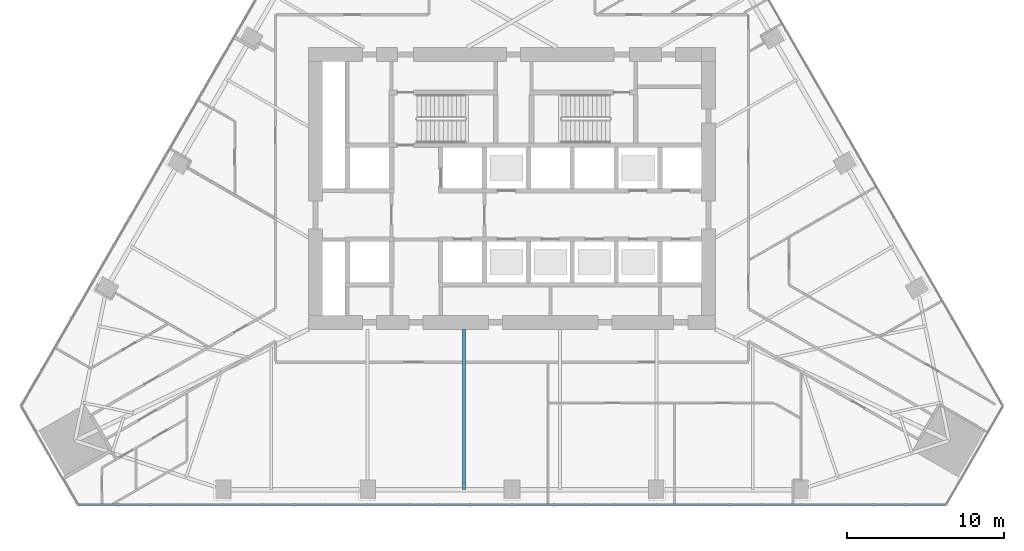
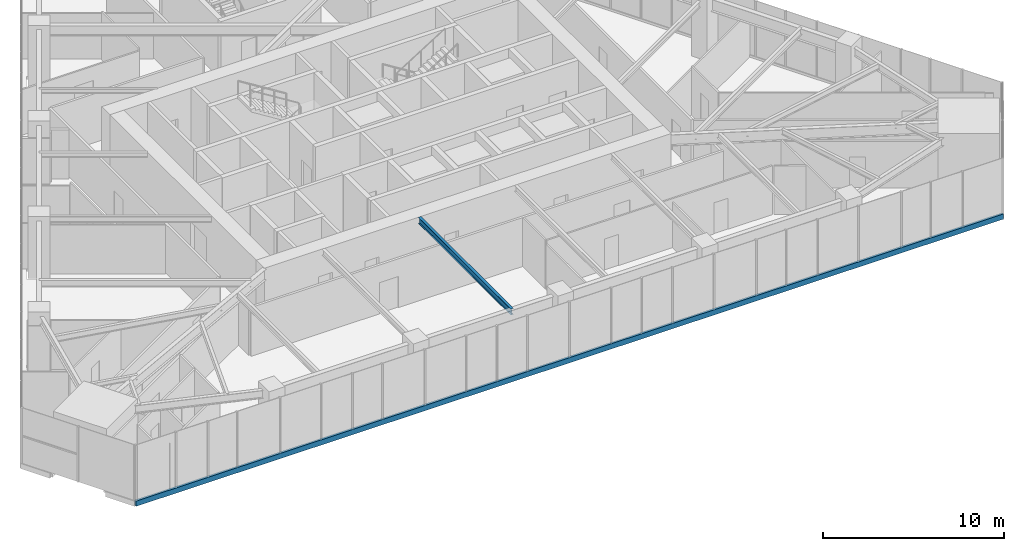
# One storey, part 3 of 19: 1 beam, 1 member, 1 element without a shape of its own.
"""IFC4 building model written with IfcOpenShell, lengths in metres."""

from ifc_helpers import new_model, si_unit, direction, frame, origin, origin_2d, place, context, subcontext, project, spatial, rectangle, i_section, extrude, material, layer, layer_set, material_profile, profile_set, type_object, element, aggregate, save


model = new_model("IFC4")

# Units and contexts
model_context = context("Model", 3, precision=1e-05, world=origin(), true_north=direction((0.0, 1.0)))
body_context = subcontext(model_context, "Body", "Model", "MODEL_VIEW")
ifc_project = project(units=[si_unit("LENGTHUNIT", "METRE"), si_unit("AREAUNIT", "SQUARE_METRE"), si_unit("VOLUMEUNIT", "CUBIC_METRE"), si_unit("PLANEANGLEUNIT", "RADIAN"), si_unit("MASSUNIT", "GRAM", prefix="KILO")], contexts=[model_context])

# Site, building, storey
site_placement = place(None, origin())
site = spatial("IfcSite", under=ifc_project, at=site_placement, CompositionType="ELEMENT")
building_placement = place(site_placement, origin())
building = spatial("IfcBuilding", under=site, at=building_placement, Name="Firuza Gate Tower and Library", CompositionType="ELEMENT")
storey_placement = place(building_placement, frame((0.0, 0.0, 136.60009765625)))
storey = spatial("IfcBuildingStorey", under=building, at=storey_placement, Name="L31", CompositionType="ELEMENT", Elevation=136.60009765625)

# Curtain wall, member
ifc_material_1 = material(Name="Aluminium 6063-T6", Category="aluminium")
ifc_layer = layer(ifc_material_1, 0.14990234375)
ifc_layer_set = layer_set([ifc_layer], Name="Unitised curtain wall, offices")
curtain_wall_type = type_object("IfcCurtainWallType", Name="Unitised curtain wall, offices", PredefinedType="NOTDEFINED", material=ifc_layer_set)
curtain_wall_placement = place(storey_placement, origin())
curtain_wall = element("IfcCurtainWall", 1, at=curtain_wall_placement, inside=storey, type_object=curtain_wall_type, Name="CW1 L31 S face", PredefinedType="NOTDEFINED")
ifc_material_2 = material(Name="Aluminium 6063-T6", Category="aluminium")
ifc_material_profile_1 = material_profile(ifc_material_2, rectangle(XDim=0.14990234375, YDim=0.35009765625, at=origin_2d()))
ifc_profile_set_1 = profile_set([ifc_material_profile_1], Name="Aluminium 6063-T6")
member_type = type_object("IfcMemberType", Name="Curtain wall transom 350x150", PredefinedType="USERDEFINED", material=ifc_profile_set_1)
member_placement = place(storey_placement, frame((47.287353515625, 54.793212890625, -0.025146484375), z_axis=(1.0, 0.0, 0.0), x_axis=(0.0, 1.0, 0.0)))
member = element("IfcMember", 2, at=member_placement, type_object=member_type, Name="Transom", ObjectType="TRANSOM", PredefinedType="USERDEFINED", context=body_context, shape_type="SweptSolid", body=[
    extrude(rectangle(XDim=0.14990234375, YDim=0.35009765625, at=origin_2d()), origin(), (0.0, 0.0, 1.0), 55.42529296875),
])
aggregate(curtain_wall, [member])

# Beam
ifc_material_3 = material(Name="Steel S355", Category="steel")
ifc_material_profile_2 = material_profile(ifc_material_3, i_section(OverallWidth=0.177978515625, OverallDepth=0.406982421875, WebThickness=0.0078125, FlangeThickness=0.0126953125, at=origin_2d()))
ifc_profile_set_2 = profile_set([ifc_material_profile_2], Name="Steel S355")
beam_type = type_object("IfcBeamType", Name="W410x60 Floor beam", PredefinedType="JOIST", material=ifc_profile_set_2)
beam_placement = place(storey_placement, frame((71.925537109375, 55.76806640625, 3.6962890625), z_axis=(0.0, 1.0, 0.0), x_axis=(-1.0, 0.0, 0.0)))
element("IfcBeam", 3, at=beam_placement, inside=storey, type_object=beam_type, Name="Floor beam L31 s22", PredefinedType="JOIST", context=body_context, shape_type="SweptSolid", body=[
    extrude(i_section(OverallWidth=0.177978515625, OverallDepth=0.406982421875, WebThickness=0.0078125, FlangeThickness=0.0126953125, at=origin_2d()), origin(), (0.0, 0.0, 1.0), 10.23193359375),
])

save(model, "model.ifc")
